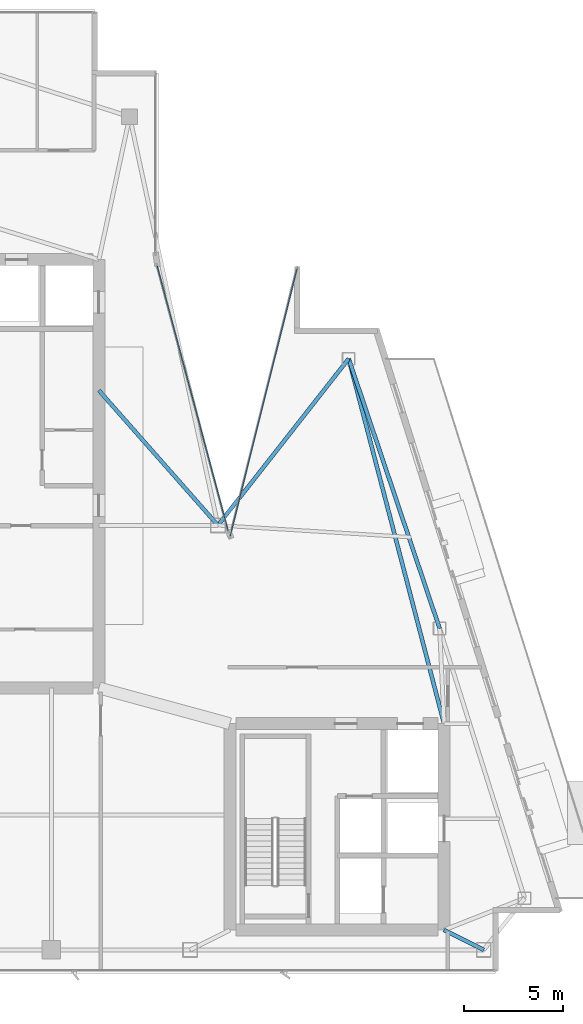
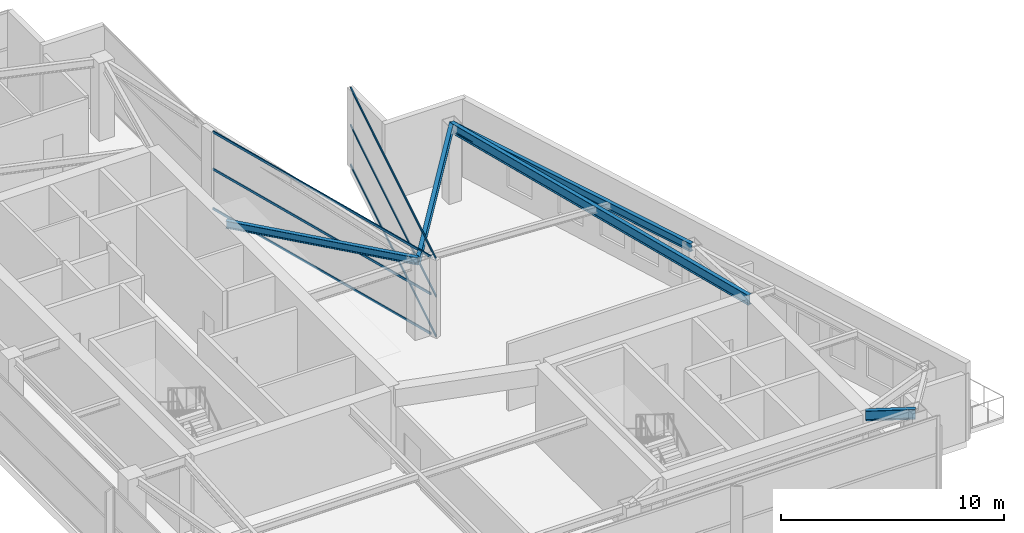
# One storey, part 11 of 25: 6 members, 5 beams, 2 elements without a shape of their own.
"""IFC4 building model written with IfcOpenShell, lengths in metres."""

from ifc_helpers import new_model, si_unit, direction, frame, origin, origin_2d, place, context, subcontext, project, spatial, hollow_rectangle, i_section, extrude, material, layer, layer_set, material_profile, profile_set, type_object, element, aggregate, save


model = new_model("IFC4")

# Units and contexts
model_context = context("Model", 3, precision=1e-05, world=origin(), true_north=direction((0.0, 1.0)))
body_context = subcontext(model_context, "Body", "Model", "MODEL_VIEW")
ifc_project = project(units=[si_unit("LENGTHUNIT", "METRE"), si_unit("AREAUNIT", "SQUARE_METRE"), si_unit("VOLUMEUNIT", "CUBIC_METRE"), si_unit("PLANEANGLEUNIT", "RADIAN"), si_unit("MASSUNIT", "GRAM", prefix="KILO")], contexts=[model_context])

# Site, building, storey
site_placement = place(None, origin())
site = spatial("IfcSite", under=ifc_project, at=site_placement, CompositionType="ELEMENT")
building_placement = place(site_placement, origin())
building = spatial("IfcBuilding", under=site, at=building_placement, Name="Calvorn Quay Hotel", CompositionType="ELEMENT")
storey_placement = place(building_placement, frame((0.0, 0.0, 307.0)))
storey = spatial("IfcBuildingStorey", under=building, at=storey_placement, Name="L76", CompositionType="ELEMENT", Elevation=307.0)

# Beams
ifc_material_1 = material(Name="Steel Q355B", Category="steel")
ifc_material_profile_1 = material_profile(ifc_material_1, i_section(OverallWidth=0.199951171875, OverallDepth=0.550048828125, WebThickness=0.010009765625, FlangeThickness=0.01611328125, FilletRadius=0.01806640625, at=origin_2d()), Name="HN550x200x10x16")
ifc_profile_set_1 = profile_set([ifc_material_profile_1], Name="Steel Q355B")
beam_type_1 = type_object("IfcBeamType", Name="BM-GIRD-UPP", PredefinedType="BEAM", material=ifc_profile_set_1)
beam_1_placement = place(storey_placement, frame((34.39990234375, 3.60009765625, 3.965087890625), z_axis=(-0.894427191, 0.4472135955, 0.0), x_axis=(-0.4472135955, -0.894427191, 0.0)))
element("IfcBeam", 1, at=beam_1_placement, inside=storey, type_object=beam_type_1, Name="Beam BG-L76-S3", PredefinedType="BEAM", context=body_context, shape_type="SweptSolid", body=[
    extrude(i_section(OverallWidth=0.199951171875, OverallDepth=0.550048828125, WebThickness=0.010009765625, FlangeThickness=0.01611328125, FilletRadius=0.01806640625, at=origin_2d()), origin(), (0.0, 0.0, 1.0), 2.236083984375),
])
beam_2_placement = place(storey_placement, frame((32.39990234375, 15.0, 3.965087890625), z_axis=(-0.252858229408, 0.967503341504, 0.0), x_axis=(-0.967503341504, -0.252858229408, 0.0)))
element("IfcBeam", 2, at=beam_2_placement, inside=storey, type_object=beam_type_1, Name="Beam BG-L76-E3", PredefinedType="BEAM", context=body_context, shape_type="SweptSolid", body=[
    extrude(i_section(OverallWidth=0.199951171875, OverallDepth=0.550048828125, WebThickness=0.010009765625, FlangeThickness=0.01611328125, FilletRadius=0.01806640625, at=origin_2d()), origin(), (0.0, 0.0, 1.0), 19.017822265625),
])
ifc_material_2 = material(Name="Steel Q355B", Category="steel")
ifc_material_profile_2 = material_profile(ifc_material_2, i_section(OverallWidth=0.199951171875, OverallDepth=0.39990234375, WebThickness=0.008056640625, FlangeThickness=0.012939453125, FilletRadius=0.01611328125, at=origin_2d()), Name="HN400x200x8x13")
ifc_profile_set_2 = profile_set([ifc_material_profile_2], Name="Steel Q355B")
beam_type_2 = type_object("IfcBeamType", Name="BM-JOIST-TYP", PredefinedType="JOIST", material=ifc_profile_set_2)
beam_3_placement = place(storey_placement, frame((15.0, 31.800048828125, 4.0400390625), z_axis=(0.661618965899, -0.749840212287, 0.0), x_axis=(0.749840212287, 0.661618965899, 0.0)))
element("IfcBeam", 3, at=beam_3_placement, inside=storey, type_object=beam_type_2, Name="Beam BJ-L76-C1", PredefinedType="JOIST", context=body_context, shape_type="SweptSolid", body=[
    extrude(i_section(OverallWidth=0.199951171875, OverallDepth=0.39990234375, WebThickness=0.008056640625, FlangeThickness=0.012939453125, FilletRadius=0.01611328125, at=origin_2d()), origin(), (0.0, 0.0, 1.0), 9.068603515625),
])
ifc_material_3 = material(Name="Steel Q355B", Category="steel")
ifc_material_profile_3 = material_profile(ifc_material_3, i_section(OverallWidth=0.199951171875, OverallDepth=0.449951171875, WebThickness=0.009033203125, FlangeThickness=0.013916015625, FilletRadius=0.01611328125, at=origin_2d()), Name="HN450x200x9x14")
ifc_profile_set_3 = profile_set([ifc_material_profile_3], Name="Steel Q355B")
beam_type_3 = type_object("IfcBeamType", Name="BM-SPANDREL-Z3", PredefinedType="SPANDREL", material=ifc_profile_set_3)
beam_4_placement = place(storey_placement, frame((32.176025390625, 19.800048828125, 4.014892578125), z_axis=(-0.319466515944, 0.947597564998, 0.0), x_axis=(-0.947597564998, -0.319466515944, 0.0)))
element("IfcBeam", 4, at=beam_4_placement, inside=storey, type_object=beam_type_3, Name="Beam BSP-L76-E2", PredefinedType="SPANDREL", context=body_context, shape_type="SweptSolid", body=[
    extrude(i_section(OverallWidth=0.199951171875, OverallDepth=0.449951171875, WebThickness=0.009033203125, FlangeThickness=0.013916015625, FilletRadius=0.01611328125, at=origin_2d()), origin(), (0.0, 0.0, 1.0), 14.35205078125),
])
beam_5_placement = place(storey_placement, frame((27.591064453125, 33.39990234375, 4.014892578125), z_axis=(-0.617308418305, -0.78672124459, 0.0), x_axis=(0.78672124459, -0.617308418305, 0.0)))
element("IfcBeam", 5, at=beam_5_placement, inside=storey, type_object=beam_type_3, Name="Beam BSP-L76-E3", PredefinedType="SPANDREL", context=body_context, shape_type="SweptSolid", body=[
    extrude(i_section(OverallWidth=0.199951171875, OverallDepth=0.449951171875, WebThickness=0.009033203125, FlangeThickness=0.013916015625, FilletRadius=0.01611328125, at=origin_2d()), origin(), (0.0, 0.0, 1.0), 10.677001953125),
])

# Curtain wall, members
ifc_material_4 = material(Name="Champagne Bronze Anodised Aluminium and Low-E Glass", Category="aluminium")
ifc_layer = layer(ifc_material_4, 0.219970703125)
ifc_layer_set = layer_set([ifc_layer], Name="CW-SYS-Z4")
curtain_wall_type = type_object("IfcCurtainWallType", Name="CW-SYS-Z4", PredefinedType="NOTDEFINED", material=ifc_layer_set)
curtain_wall_1_placement = place(storey_placement, origin())
curtain_wall_1 = element("IfcCurtainWall", 6, at=curtain_wall_1_placement, inside=storey, type_object=curtain_wall_type, Name="Inner Court Curtain Wall L76-NE1", PredefinedType="NOTDEFINED")
ifc_material_5 = material(Name="Champagne Bronze Anodised Aluminium 6063-T6", Category="aluminium")
ifc_material_profile_4 = material_profile(ifc_material_5, hollow_rectangle(XDim=0.054931640625, YDim=0.1298828125, WallThickness=0.003173828125, at=origin_2d()), Name="ALU-T130x55x3.2")
ifc_profile_set_4 = profile_set([ifc_material_profile_4], Name="Champagne Bronze Anodised Aluminium 6063-T6")
member_type = type_object("IfcMemberType", Name="CW-SYS-Z4-TRN", PredefinedType="USERDEFINED", material=ifc_profile_set_4)
member_1_placement = place(storey_placement, frame((24.9853515625, 37.94189453125, 0.030029296875), z_axis=(-0.242531491896, -0.970143533421, 0.0), x_axis=(0.970143533421, -0.242531491896, 0.0)))
member_1 = element("IfcMember", 7, at=member_1_placement, type_object=member_type, Name="CW-L76-NE1 transom 1.1", ObjectType="TRANSOM", PredefinedType="USERDEFINED", context=body_context, shape_type="SweptSolid", body=[
    extrude(hollow_rectangle(XDim=0.054931640625, YDim=0.1298828125, WallThickness=0.003173828125, at=origin_2d()), origin(), (0.0, 0.0, 1.0), 13.898681640625),
])
member_2_placement = place(storey_placement, frame((24.9853515625, 37.94189453125, 2.199951171875), z_axis=(-0.242531491896, -0.970143533421, 0.0), x_axis=(0.970143533421, -0.242531491896, 0.0)))
member_2 = element("IfcMember", 8, at=member_2_placement, type_object=member_type, Name="CW-L76-NE1 transom 1.2", ObjectType="TRANSOM", PredefinedType="USERDEFINED", context=body_context, shape_type="SweptSolid", body=[
    extrude(hollow_rectangle(XDim=0.054931640625, YDim=0.1298828125, WallThickness=0.003173828125, at=origin_2d()), origin(), (0.0, 0.0, 1.0), 13.898681640625),
])
member_3_placement = place(storey_placement, frame((24.9853515625, 37.94189453125, 4.22998046875), z_axis=(-0.242531491896, -0.970143533421, 0.0), x_axis=(0.970143533421, -0.242531491896, 0.0)))
member_3 = element("IfcMember", 9, at=member_3_placement, type_object=member_type, Name="CW-L76-NE1 transom 1.3", ObjectType="TRANSOM", PredefinedType="USERDEFINED", context=body_context, shape_type="SweptSolid", body=[
    extrude(hollow_rectangle(XDim=0.054931640625, YDim=0.1298828125, WallThickness=0.003173828125, at=origin_2d()), origin(), (0.0, 0.0, 1.0), 13.898681640625),
])
aggregate(curtain_wall_1, [member_1, member_2, member_3])

curtain_wall_2_placement = place(storey_placement, origin())
curtain_wall_2 = element("IfcCurtainWall", 10, at=curtain_wall_2_placement, inside=storey, type_object=curtain_wall_type, Name="Inner Court Curtain Wall L76-IC1", PredefinedType="NOTDEFINED")
member_4_placement = place(storey_placement, frame((21.512451171875, 24.72802734375, 0.030029296875), z_axis=(-0.258781136883, 0.965935982969, 0.0), x_axis=(-0.965935982969, -0.258781136883, 0.0)))
member_4 = element("IfcMember", 11, at=member_4_placement, type_object=member_type, Name="CW-L76-IC1 transom 1.1", ObjectType="TRANSOM", PredefinedType="USERDEFINED", context=body_context, shape_type="SweptSolid", body=[
    extrude(hollow_rectangle(XDim=0.054931640625, YDim=0.1298828125, WallThickness=0.003173828125, at=origin_2d()), origin(), (0.0, 0.0, 1.0), 13.814453125),
])
member_5_placement = place(storey_placement, frame((21.512451171875, 24.72802734375, 2.199951171875), z_axis=(-0.258781136883, 0.965935982969, 0.0), x_axis=(-0.965935982969, -0.258781136883, 0.0)))
member_5 = element("IfcMember", 12, at=member_5_placement, type_object=member_type, Name="CW-L76-IC1 transom 1.2", ObjectType="TRANSOM", PredefinedType="USERDEFINED", context=body_context, shape_type="SweptSolid", body=[
    extrude(hollow_rectangle(XDim=0.054931640625, YDim=0.1298828125, WallThickness=0.003173828125, at=origin_2d()), origin(), (0.0, 0.0, 1.0), 13.814453125),
])
member_6_placement = place(storey_placement, frame((21.512451171875, 24.72802734375, 4.22998046875), z_axis=(-0.258781136883, 0.965935982969, 0.0), x_axis=(-0.965935982969, -0.258781136883, 0.0)))
member_6 = element("IfcMember", 13, at=member_6_placement, type_object=member_type, Name="CW-L76-IC1 transom 1.3", ObjectType="TRANSOM", PredefinedType="USERDEFINED", context=body_context, shape_type="SweptSolid", body=[
    extrude(hollow_rectangle(XDim=0.054931640625, YDim=0.1298828125, WallThickness=0.003173828125, at=origin_2d()), origin(), (0.0, 0.0, 1.0), 13.814453125),
])
aggregate(curtain_wall_2, [member_4, member_5, member_6])

save(model, "model.ifc")
